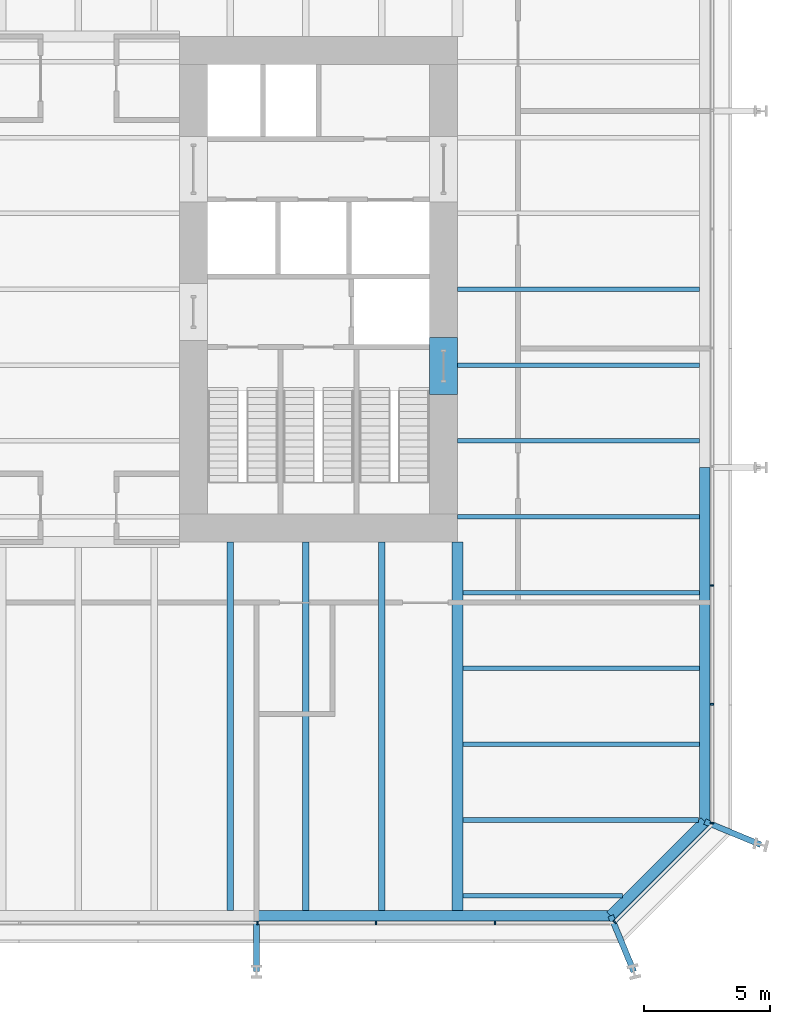
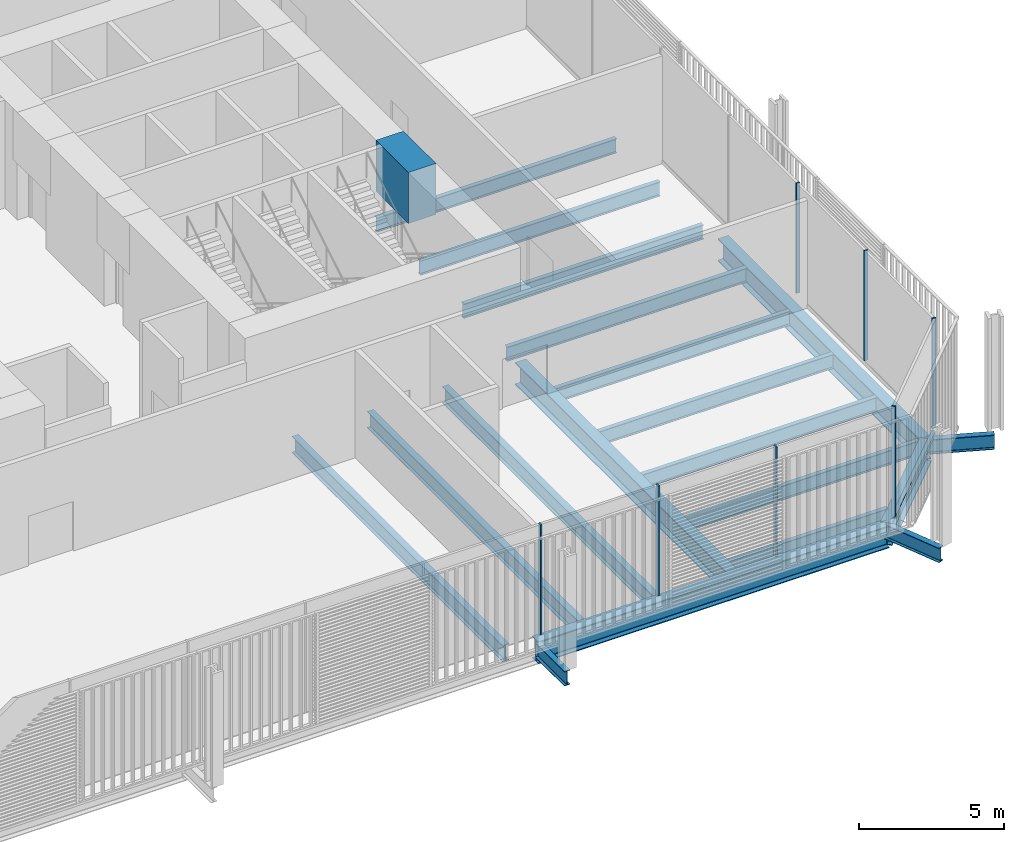
# One storey, part 8 of 22: 20 beams, 8 members, 3 elements without a shape of their own.
"""IFC4 building model written with IfcOpenShell, lengths in metres."""

from ifc_helpers import new_model, si_unit, direction, frame, origin, origin_2d, place, context, subcontext, project, spatial, rectangle, i_section, extrude, material, layer, layer_set, material_profile, profile_set, type_object, element, aggregate, save


model = new_model("IFC4")

# Units and contexts
model_context = context("Model", 3, precision=1e-05, world=origin(), true_north=direction((0.0, 1.0)))
body_context = subcontext(model_context, "Body", "Model", "MODEL_VIEW")
ifc_project = project(units=[si_unit("LENGTHUNIT", "METRE"), si_unit("AREAUNIT", "SQUARE_METRE"), si_unit("VOLUMEUNIT", "CUBIC_METRE"), si_unit("PLANEANGLEUNIT", "RADIAN"), si_unit("MASSUNIT", "GRAM", prefix="KILO")], contexts=[model_context])

# Site, building, storey
site_placement = place(None, origin())
site = spatial("IfcSite", under=ifc_project, at=site_placement, CompositionType="ELEMENT")
building_placement = place(site_placement, origin())
building = spatial("IfcBuilding", under=site, at=building_placement, Name="Millrace Tower", CompositionType="ELEMENT")
storey_placement = place(building_placement, frame((0.0, 0.0, 59.300048828125)))
storey = spatial("IfcBuildingStorey", under=building, at=storey_placement, Name="L13", CompositionType="ELEMENT", Elevation=59.300048828125)

# Curtain wall, members
ifc_material_1 = material(Name="Aluminium and glass", Category="aluminium")
ifc_layer = layer(ifc_material_1, 0.14990234375)
ifc_layer_set = layer_set([ifc_layer], Name="Aluminium and glass")
curtain_wall_type = type_object("IfcCurtainWallType", Name="CW-2 data hall insulated curtain wall", PredefinedType="NOTDEFINED", material=ifc_layer_set)
placement = place(storey_placement, origin())
curtain_wall_1 = element("IfcCurtainWall", 1, at=placement, inside=storey, type_object=curtain_wall_type, Name="Curtain wall A-F02 L13", PredefinedType="NOTDEFINED")
ifc_material_2 = material(Name="Aluminium", Category="aluminium")
ifc_material_profile_1 = material_profile(ifc_material_2, rectangle(XDim=0.06494140625, YDim=0.14990234375, at=origin_2d()))
ifc_profile_set_1 = profile_set([ifc_material_profile_1], Name="Aluminium")
member_type_1 = type_object("IfcMemberType", Name="CW-2 data hall insulated curtain wall mullion", PredefinedType="MULLION", material=ifc_profile_set_1)
member_1_placement = place(storey_placement, frame((7.08251953125, -25.074951171875, 0.159912109375), z_axis=(0.0, 0.0, 1.0), x_axis=(1.0, 0.0, 0.0)))
member_1 = element("IfcMember", 2, at=member_1_placement, type_object=member_type_1, Name="CW2 mullion A-F02.7", PredefinedType="MULLION", context=body_context, shape_type="SweptSolid", body=[
    extrude(rectangle(XDim=0.06494140625, YDim=0.14990234375, at=origin_2d()), origin(), (0.0, 0.0, 1.0), 4.64013671875),
])
member_2_placement = place(storey_placement, frame((11.782470703125, -25.074951171875, 0.159912109375), z_axis=(0.0, 0.0, 1.0), x_axis=(1.0, 0.0, 0.0)))
member_2 = element("IfcMember", 3, at=member_2_placement, type_object=member_type_1, Name="CW2 mullion A-F02.8", PredefinedType="MULLION", context=body_context, shape_type="SweptSolid", body=[
    extrude(rectangle(XDim=0.06494140625, YDim=0.14990234375, at=origin_2d()), origin(), (0.0, 0.0, 1.0), 4.64013671875),
])
member_3_placement = place(storey_placement, frame((16.482421875, -25.074951171875, 0.159912109375), z_axis=(0.0, 0.0, 1.0), x_axis=(1.0, 0.0, 0.0)))
member_3 = element("IfcMember", 4, at=member_3_placement, type_object=member_type_1, Name="CW2 mullion A-F02.9", PredefinedType="MULLION", context=body_context, shape_type="SweptSolid", body=[
    extrude(rectangle(XDim=0.06494140625, YDim=0.14990234375, at=origin_2d()), origin(), (0.0, 0.0, 1.0), 4.64013671875),
])
aggregate(curtain_wall_1, [member_1, member_2, member_3])

# Curtain wall, member
curtain_wall_2 = element("IfcCurtainWall", 5, at=placement, inside=storey, type_object=curtain_wall_type, Name="Curtain wall A-F03 L13", PredefinedType="NOTDEFINED")
member_4_placement = place(storey_placement, frame((21.22607421875, -25.030029296875, 0.159912109375), z_axis=(0.0, 0.0, 1.0), x_axis=(0.707106781187, 0.707106781187, 0.0)))
member_4 = element("IfcMember", 6, at=member_4_placement, type_object=member_type_1, Name="CW2 mullion A-F03.1", PredefinedType="MULLION", context=body_context, shape_type="SweptSolid", body=[
    extrude(rectangle(XDim=0.06494140625, YDim=0.14990234375, at=origin_2d()), origin(), (0.0, 0.0, 1.0), 4.64013671875),
])

# Curtain wall, members
curtain_wall_3 = element("IfcCurtainWall", 7, at=placement, inside=storey, type_object=curtain_wall_type, Name="Curtain wall A-F04 L13", PredefinedType="NOTDEFINED")
member_5_placement = place(storey_placement, frame((25.074951171875, -21.117431640625, 0.159912109375), z_axis=(0.0, 0.0, 1.0), x_axis=(0.0, 1.0, 0.0)))
member_5 = element("IfcMember", 8, at=member_5_placement, type_object=member_type_1, Name="CW2 mullion A-F04.1", PredefinedType="MULLION", context=body_context, shape_type="SweptSolid", body=[
    extrude(rectangle(XDim=0.06494140625, YDim=0.14990234375, at=origin_2d()), origin(), (0.0, 0.0, 1.0), 4.64013671875),
])
member_6_placement = place(storey_placement, frame((25.074951171875, -16.41748046875, 0.159912109375), z_axis=(0.0, 0.0, 1.0), x_axis=(0.0, 1.0, 0.0)))
member_6 = element("IfcMember", 9, at=member_6_placement, type_object=member_type_1, Name="CW2 mullion A-F04.2", PredefinedType="MULLION", context=body_context, shape_type="SweptSolid", body=[
    extrude(rectangle(XDim=0.06494140625, YDim=0.14990234375, at=origin_2d()), origin(), (0.0, 0.0, 1.0), 4.64013671875),
])
member_7_placement = place(storey_placement, frame((25.074951171875, -11.717529296875, 0.159912109375), z_axis=(0.0, 0.0, 1.0), x_axis=(0.0, 1.0, 0.0)))
member_7 = element("IfcMember", 10, at=member_7_placement, type_object=member_type_1, Name="CW2 mullion A-F04.3", PredefinedType="MULLION", context=body_context, shape_type="SweptSolid", body=[
    extrude(rectangle(XDim=0.06494140625, YDim=0.14990234375, at=origin_2d()), origin(), (0.0, 0.0, 1.0), 4.64013671875),
])
aggregate(curtain_wall_3, [member_5, member_6, member_7])

# Member
ifc_material_3 = material(Name="Aluminium", Category="aluminium")
ifc_material_profile_2 = material_profile(ifc_material_3, rectangle(XDim=0.14990234375, YDim=0.159912109375, at=origin_2d()))
ifc_profile_set_2 = profile_set([ifc_material_profile_2], Name="Aluminium")
member_type_2 = type_object("IfcMemberType", Name="CW-2 data hall insulated curtain wall transom", PredefinedType="USERDEFINED", material=ifc_profile_set_2)
member_8_placement = place(storey_placement, frame((21.273681640625, -24.982421875, 0.079833984375), z_axis=(0.707106781187, 0.707106781187, 0.0), x_axis=(-0.707106781187, 0.707106781187, 0.0)))
member_8 = element("IfcMember", 11, at=member_8_placement, type_object=member_type_2, Name="CW2 transom A-F03.1", ObjectType="TRANSOM", PredefinedType="USERDEFINED", context=body_context, shape_type="SweptSolid", body=[
    extrude(rectangle(XDim=0.14990234375, YDim=0.159912109375, at=origin_2d()), origin(), (0.0, 0.0, 1.0), 5.244873046875),
])

aggregate(curtain_wall_2, [member_4, member_8])

# Beams
ifc_material_4 = material(Name="Concrete C80", Category="concrete")
ifc_material_profile_3 = material_profile(ifc_material_4, rectangle(XDim=1.10009765625, YDim=2.14990234375, at=origin_2d()))
ifc_profile_set_3 = profile_set([ifc_material_profile_3], Name="Concrete C80")
beam_type_1 = type_object("IfcBeamType", Name="Coupling beam 1100 x 2150 Concrete C80, 1300 opening", PredefinedType="BEAM", material=ifc_profile_set_3)
beam_1_placement = place(storey_placement, frame((14.449951171875, -1.901123046875, 3.474853515625), z_axis=(0.0, -1.0, 0.0), x_axis=(1.0, 0.0, 0.0)))
element("IfcBeam", 12, at=beam_1_placement, inside=storey, type_object=beam_type_1, Name="Coupling beam E L13", PredefinedType="BEAM", context=body_context, shape_type="SweptSolid", body=[
    extrude(rectangle(XDim=1.10009765625, YDim=2.14990234375, at=origin_2d()), origin(), (0.0, 0.0, 1.0), 2.257568359375),
])
ifc_material_5 = material(Name="Steel ASTM A992 Grade 50", Category="steel")
ifc_material_profile_4 = material_profile(ifc_material_5, i_section(OverallWidth=0.177978515625, OverallDepth=0.599365234375, WebThickness=0.010009765625, FlangeThickness=0.012939453125, FilletRadius=0.012939453125, at=origin_2d()))
ifc_profile_set_4 = profile_set([ifc_material_profile_4], Name="Steel ASTM A992 Grade 50")
beam_type_2 = type_object("IfcBeamType", Name="Floor beam W24x55", PredefinedType="JOIST", material=ifc_profile_set_4)
beam_2_placement = place(storey_placement, frame((15.212158203125, -24.0, -0.524658203125), z_axis=(1.0, 0.0, 0.0), x_axis=(0.0, 1.0, 0.0)))
element("IfcBeam", 13, at=beam_2_placement, inside=storey, type_object=beam_type_2, Name="BM-A-L13-S1-S002", PredefinedType="JOIST", context=body_context, shape_type="SweptSolid", body=[
    extrude(i_section(OverallWidth=0.177978515625, OverallDepth=0.599365234375, WebThickness=0.010009765625, FlangeThickness=0.012939453125, FilletRadius=0.012939453125, at=origin_2d()), origin(), (0.0, 0.0, 1.0), 6.317626953125),
])
ifc_material_6 = material(Name="Steel ASTM A992 Grade 50", Category="steel")
ifc_material_profile_5 = material_profile(ifc_material_6, i_section(OverallWidth=0.1787109375, OverallDepth=0.60205078125, WebThickness=0.010986328125, FlangeThickness=0.014892578125, FilletRadius=0.0126953125, at=origin_2d()))
ifc_profile_set_5 = profile_set([ifc_material_profile_5], Name="Steel ASTM A992 Grade 50")
beam_type_3 = type_object("IfcBeamType", Name="Floor beam W24x62", PredefinedType="JOIST", material=ifc_profile_set_5)
for number, where, z_axis, x_axis, name in (
    (14, (15.212158203125, -18.0, -0.526123046875), (1.0, 0.0, 0.0), (0.0, 1.0, 0.0), "BM-A-L13-S1-S006"),
    (15, (15.212158203125, -15.0, -0.526123046875), (1.0, 0.0, 0.0), (0.0, 1.0, 0.0), "BM-A-L13-S1-S008"),
    (16, (15.212158203125, -12.0, -0.526123046875), (1.0, 0.0, 0.0), (0.0, 1.0, 0.0), "BM-A-L13-S1-S010"),
):
    element("IfcBeam", number, at=place(storey_placement, frame(where, z_axis=z_axis, x_axis=x_axis)), inside=storey, type_object=beam_type_3, Name=name, PredefinedType="JOIST", context=body_context, shape_type="SweptSolid", body=[
        extrude(i_section(OverallWidth=0.1787109375, OverallDepth=0.60205078125, WebThickness=0.010986328125, FlangeThickness=0.014892578125, FilletRadius=0.0126953125, at=origin_2d()), origin(), (0.0, 0.0, 1.0), 9.3662109375),
    ])
for number, where, z_axis, x_axis, name in (
    (17, (15.0, -9.0, -0.526123046875), (1.0, 0.0, 0.0), (0.0, 1.0, 0.0), "BM-A-L13-S1-S013"),
    (18, (15.0, -6.0, -0.526123046875), (1.0, 0.0, 0.0), (0.0, 1.0, 0.0), "BM-A-L13-S1-S016"),
    (19, (15.0, -3.0, -0.526123046875), (1.0, 0.0, 0.0), (0.0, 1.0, 0.0), "BM-A-L13-S1-S019"),
    (20, (15.0, 0.0, -0.526123046875), (1.0, 0.0, 0.0), (0.0, 1.0, 0.0), "BM-A-L13-S1-S022"),
):
    element("IfcBeam", number, at=place(storey_placement, frame(where, z_axis=z_axis, x_axis=x_axis)), inside=storey, type_object=beam_type_3, Name=name, PredefinedType="JOIST", context=body_context, shape_type="SweptSolid", body=[
        extrude(i_section(OverallWidth=0.1787109375, OverallDepth=0.60205078125, WebThickness=0.010986328125, FlangeThickness=0.014892578125, FilletRadius=0.0126953125, at=origin_2d()), origin(), (0.0, 0.0, 1.0), 9.578369140625),
    ])
beam_3_placement = place(storey_placement, frame((15.212158203125, -21.0, -0.526123046875), z_axis=(1.0, 0.0, 0.0), x_axis=(0.0, 1.0, 0.0)))
element("IfcBeam", 21, at=beam_3_placement, inside=storey, type_object=beam_type_3, Name="BM-A-L13-S1-S004", PredefinedType="JOIST", context=body_context, shape_type="SweptSolid", body=[
    extrude(i_section(OverallWidth=0.1787109375, OverallDepth=0.60205078125, WebThickness=0.010986328125, FlangeThickness=0.014892578125, FilletRadius=0.0126953125, at=origin_2d()), origin(), (0.0, 0.0, 1.0), 9.317626953125),
])
ifc_material_7 = material(Name="Steel ASTM A992 Grade 50", Category="steel")
ifc_material_profile_6 = material_profile(ifc_material_7, i_section(OverallWidth=0.256591796875, OverallDepth=0.693359375, WebThickness=0.014404296875, FlangeThickness=0.023681640625, FilletRadius=0.01513671875, at=origin_2d()))
ifc_profile_set_6 = profile_set([ifc_material_profile_6], Name="Steel ASTM A992 Grade 50")
beam_type_4 = type_object("IfcBeamType", Name="Floor beam W27x114", PredefinedType="JOIST", material=ifc_profile_set_6)
for number, where, z_axis, x_axis, name in (
    (22, (6.0, -24.578369140625, -0.57177734375), (0.0, 1.0, 0.0), (-1.0, 0.0, 0.0), "BM-A-L13-S1-S055"),
    (23, (9.0, -24.578369140625, -0.57177734375), (0.0, 1.0, 0.0), (-1.0, 0.0, 0.0), "BM-A-L13-S1-S057"),
    (24, (12.0, -24.578369140625, -0.57177734375), (0.0, 1.0, 0.0), (-1.0, 0.0, 0.0), "BM-A-L13-S1-S059"),
):
    element("IfcBeam", number, at=place(storey_placement, frame(where, z_axis=z_axis, x_axis=x_axis)), inside=storey, type_object=beam_type_4, Name=name, PredefinedType="JOIST", context=body_context, shape_type="SweptSolid", body=[
        extrude(i_section(OverallWidth=0.256591796875, OverallDepth=0.693359375, WebThickness=0.014404296875, FlangeThickness=0.023681640625, FilletRadius=0.01513671875, at=origin_2d()), origin(), (0.0, 0.0, 1.0), 14.578369140625),
    ])
ifc_material_8 = material(Name="Steel ASTM A992 Grade 50", Category="steel")
ifc_material_profile_7 = material_profile(ifc_material_8, i_section(OverallWidth=0.424072265625, OverallDepth=0.947509765625, WebThickness=0.02392578125, FlangeThickness=0.042724609375, FilletRadius=0.024169921875, at=origin_2d()))
ifc_profile_set_7 = profile_set([ifc_material_profile_7], Name="Steel ASTM A992 Grade 50")
beam_type_5 = type_object("IfcBeamType", Name="Girder medium span W36x302", PredefinedType="BEAM", material=ifc_profile_set_7)
beam_4_placement = place(storey_placement, frame((15.0, -24.578369140625, -0.69873046875), z_axis=(0.0, 1.0, 0.0), x_axis=(-1.0, 0.0, 0.0)))
element("IfcBeam", 25, at=beam_4_placement, inside=storey, type_object=beam_type_5, Name="BM-A-L13-S1-G063", PredefinedType="BEAM", context=body_context, shape_type="SweptSolid", body=[
    extrude(i_section(OverallWidth=0.424072265625, OverallDepth=0.947509765625, WebThickness=0.02392578125, FlangeThickness=0.042724609375, FilletRadius=0.024169921875, at=origin_2d()), origin(), (0.0, 0.0, 1.0), 14.578369140625),
])
ifc_material_9 = material(Name="Steel ASTM A992 Grade 50", Category="steel")
ifc_material_profile_8 = material_profile(ifc_material_9, i_section(OverallWidth=0.23046875, OverallDepth=0.6171875, WebThickness=0.01318359375, FlangeThickness=0.022216796875, FilletRadius=0.012939453125, at=origin_2d()))
ifc_profile_set_8 = profile_set([ifc_material_profile_8], Name="Steel ASTM A992 Grade 50")
beam_type_6 = type_object("IfcBeamType", Name="Link beam W24x94", PredefinedType="BEAM", material=ifc_profile_set_8)
for number, where, z_axis, x_axis, name in (
    (26, (24.7890625, -21.062744140625, -0.53369140625), (0.923883789366, -0.382673155247, 0.0), (0.382673155247, 0.923883789366, 0.0), "LNK-A-L13-S1-12"),
    (27, (21.062744140625, -24.7890625, -0.53369140625), (0.382673155247, -0.923883789366, 0.0), (0.923883789366, 0.382673155247, 0.0), "LNK-A-L13-S1-13"),
):
    element("IfcBeam", number, at=place(storey_placement, frame(where, z_axis=z_axis, x_axis=x_axis)), inside=storey, type_object=beam_type_6, Name=name, PredefinedType="BEAM", context=body_context, shape_type="SweptSolid", body=[
        extrude(i_section(OverallWidth=0.23046875, OverallDepth=0.6171875, WebThickness=0.01318359375, FlangeThickness=0.022216796875, FilletRadius=0.012939453125, at=origin_2d()), origin(), (0.0, 0.0, 1.0), 2.39306640625),
    ])
beam_5_placement = place(storey_placement, frame((7.050048828125, -25.0, -0.53369140625), z_axis=(0.0, -1.0, 0.0), x_axis=(1.0, 0.0, 0.0)))
element("IfcBeam", 28, at=beam_5_placement, inside=storey, type_object=beam_type_6, Name="LNK-A-L13-S1-14", PredefinedType="BEAM", context=body_context, shape_type="SweptSolid", body=[
    extrude(i_section(OverallWidth=0.23046875, OverallDepth=0.6171875, WebThickness=0.01318359375, FlangeThickness=0.022216796875, FilletRadius=0.012939453125, at=origin_2d()), origin(), (0.0, 0.0, 1.0), 2.0),
])
ifc_material_10 = material(Name="Steel ASTM A992 Grade 50", Category="steel")
ifc_material_profile_9 = material_profile(ifc_material_10, i_section(OverallWidth=0.421630859375, OverallDepth=0.937255859375, WebThickness=0.021240234375, FlangeThickness=0.03662109375, FilletRadius=0.024169921875, at=origin_2d()))
ifc_profile_set_9 = profile_set([ifc_material_profile_9], Name="Steel ASTM A992 Grade 50")
beam_type_7 = type_object("IfcBeamType", Name="Ring beam medium span W36x262", PredefinedType="SPANDREL", material=ifc_profile_set_9)
for number, where, z_axis, x_axis, name in (
    (29, (24.7890625, -7.050048828125, -0.693603515625), (0.0, -1.0, 0.0), (1.0, 0.0, 0.0), "RNG-A-L13-S1-11"),
    (30, (21.062744140625, -24.7890625, -0.693603515625), (-1.0, 0.0, 0.0), (0.0, -1.0, 0.0), "RNG-A-L13-S1-13"),
):
    element("IfcBeam", number, at=place(storey_placement, frame(where, z_axis=z_axis, x_axis=x_axis)), inside=storey, type_object=beam_type_7, Name=name, PredefinedType="SPANDREL", context=body_context, shape_type="SweptSolid", body=[
        extrude(i_section(OverallWidth=0.421630859375, OverallDepth=0.937255859375, WebThickness=0.021240234375, FlangeThickness=0.03662109375, FilletRadius=0.024169921875, at=origin_2d()), origin(), (0.0, 0.0, 1.0), 14.0126953125),
    ])
ifc_material_11 = material(Name="Steel ASTM A992 Grade 50", Category="steel")
ifc_material_profile_10 = material_profile(ifc_material_11, i_section(OverallWidth=0.421630859375, OverallDepth=0.937255859375, WebThickness=0.021240234375, FlangeThickness=0.03662109375, FilletRadius=0.024169921875, at=origin_2d()))
ifc_profile_set_10 = profile_set([ifc_material_profile_10], Name="Steel ASTM A992 Grade 50")
beam_type_8 = type_object("IfcBeamType", Name="Ring beam short span W36x262", PredefinedType="SPANDREL", material=ifc_profile_set_10)
beam_6_placement = place(storey_placement, frame((24.7890625, -21.062744140625, -0.693603515625), z_axis=(-0.707106781187, -0.707106781187, 0.0), x_axis=(0.707106781187, -0.707106781187, 0.0)))
element("IfcBeam", 31, at=beam_6_placement, inside=storey, type_object=beam_type_8, Name="RNG-A-L13-S1-12", PredefinedType="SPANDREL", context=body_context, shape_type="SweptSolid", body=[
    extrude(i_section(OverallWidth=0.421630859375, OverallDepth=0.937255859375, WebThickness=0.021240234375, FlangeThickness=0.03662109375, FilletRadius=0.024169921875, at=origin_2d()), origin(), (0.0, 0.0, 1.0), 5.269775390625),
])

save(model, "model.ifc")
